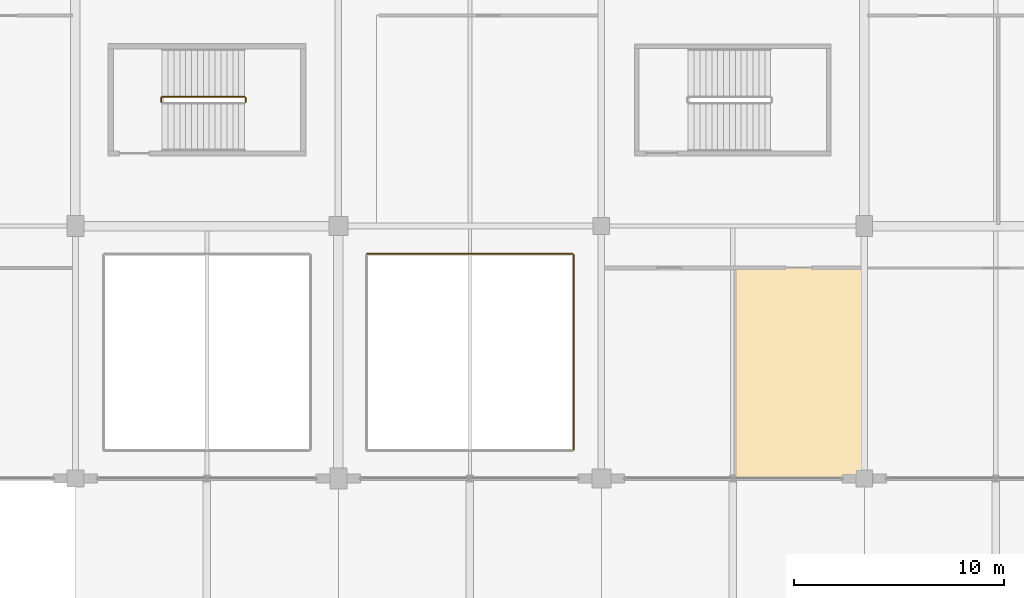
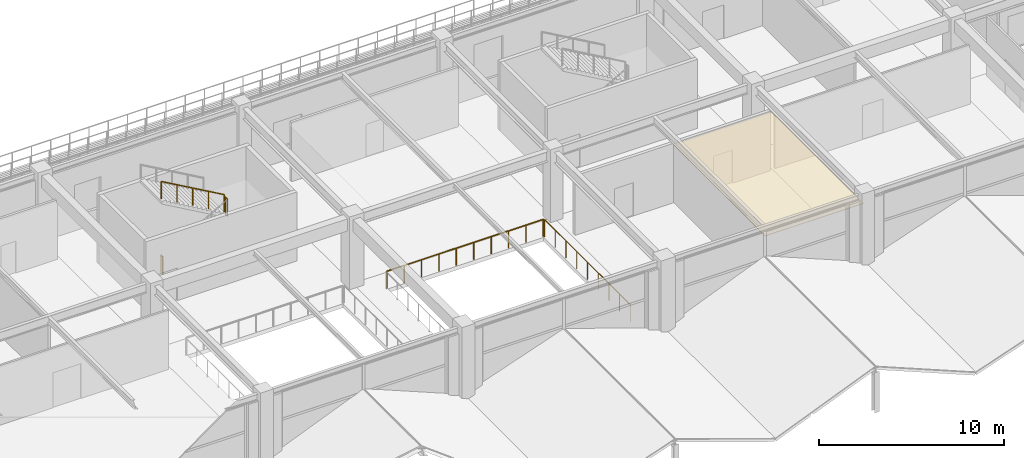
# One storey, part 112 of 134: 5 railings, 1 covering.
"""IFC4 building model written with IfcOpenShell, lengths in metres."""

from ifc_helpers import new_model, si_unit, direction, frame, origin, origin_2d, place, context, subcontext, project, spatial, polyline, circle, outline, extrude, material, layer, layer_set, type_object, element, save


model = new_model("IFC4")

# Units and contexts
model_context = context("Model", 3, precision=1e-05, world=origin(), true_north=direction((0.0, 1.0)))
body_context = subcontext(model_context, "Body", "Model", "MODEL_VIEW")
ifc_project = project(units=[si_unit("LENGTHUNIT", "METRE"), si_unit("AREAUNIT", "SQUARE_METRE"), si_unit("VOLUMEUNIT", "CUBIC_METRE"), si_unit("PLANEANGLEUNIT", "RADIAN"), si_unit("MASSUNIT", "GRAM", prefix="KILO")], contexts=[model_context])

# Site, building, storey
site_placement = place(None, origin())
site = spatial("IfcSite", under=ifc_project, at=site_placement, CompositionType="ELEMENT")
building_placement = place(site_placement, origin())
building = spatial("IfcBuilding", under=site, at=building_placement, Name="Kazenohara Klinker Stadium", CompositionType="ELEMENT")
storey_placement = place(building_placement, frame((0.0, 0.0, 5.39990234375)))
storey = spatial("IfcBuildingStorey", under=building, at=storey_placement, Name="L01", CompositionType="ELEMENT", Elevation=5.39990234375)

# Covering
ifc_material_1 = material(Name="Perforated acoustic mineral-fibre ceiling tile", Category="gypsum")
ifc_layer_1 = layer(ifc_material_1, 0.030029296875)
ifc_layer_set_1 = layer_set([ifc_layer_1], Name="Perforated acoustic mineral-fibre ceiling tile")
covering_type = type_object("IfcCoveringType", Name="COV-CEIL-01", PredefinedType="CEILING", material=ifc_layer_set_1)
covering_placement = place(storey_placement, frame((0.0, 0.0, 3.75)))
element("IfcCovering", 1, at=covering_placement, inside=storey, type_object=covering_type, Name="Suspended acoustic ceiling CL01 Family Sensory Hospitality Lounge L01-1201B", PredefinedType="CEILING", context=body_context, shape_type="SweptSolid", body=[
    extrude(outline(polyline([(156.331787109375, 12.06005859375), (162.4599609375, 12.06005859375), (162.4599609375, 22.0400390625), (156.331787109375, 22.0400390625), (156.331787109375, 12.06005859375)])), origin(), (0.0, 0.0, 1.0), 0.030029296875),
])

# Railings
ifc_material_2 = material(Name="Tempered laminated glass and stainless steel 316 balustrade", Category="steel")
ifc_layer_2 = layer(ifc_material_2, 0.090087890625)
ifc_layer_set_2 = layer_set([ifc_layer_2], Name="Tempered laminated glass and stainless steel 316 balustrade")
railing_type_1 = type_object("IfcRailingType", Name="RL-BAL-1150", PredefinedType="BALUSTRADE", material=ifc_layer_set_2)
railing_1_placement = place(storey_placement, frame((138.8701171875, 22.679931640625, 0.0)))
element("IfcRailing", 2, at=railing_1_placement, inside=storey, type_object=railing_type_1, Name="Double-height atrium gallery balustrade BL01-V04-N", PredefinedType="BALUSTRADE", context=body_context, shape_type="SweptSolid", body=[
    extrude(circle(Radius=0.02392578125, at=origin_2d()), frame((0.0, 0.0, 1.1259765625), z_axis=(1.0, 0.0, 0.0), x_axis=(0.0, 1.0, 0.0)), (0.0, 0.0, 1.0), 9.759765625),
    extrude(circle(Radius=0.02099609375, at=origin_2d()), origin(), (0.0, 0.0, 1.0), 1.101806640625),
    extrude(circle(Radius=0.02099609375, at=origin_2d()), frame((1.08447265625, 0.0, 0.0)), (0.0, 0.0, 1.0), 1.101806640625),
    extrude(circle(Radius=0.02099609375, at=origin_2d()), frame((2.1689453125, 0.0, 0.0)), (0.0, 0.0, 1.0), 1.101806640625),
    extrude(circle(Radius=0.02099609375, at=origin_2d()), frame((3.253173828125, 0.0, 0.0)), (0.0, 0.0, 1.0), 1.101806640625),
    extrude(circle(Radius=0.02099609375, at=origin_2d()), frame((4.337646484375, 0.0, 0.0)), (0.0, 0.0, 1.0), 1.101806640625),
    extrude(circle(Radius=0.02099609375, at=origin_2d()), frame((5.422119140625, 0.0, 0.0)), (0.0, 0.0, 1.0), 1.101806640625),
    extrude(circle(Radius=0.02099609375, at=origin_2d()), frame((6.506591796875, 0.0, 0.0)), (0.0, 0.0, 1.0), 1.101806640625),
    extrude(circle(Radius=0.02099609375, at=origin_2d()), frame((7.5908203125, 0.0, 0.0)), (0.0, 0.0, 1.0), 1.101806640625),
    extrude(circle(Radius=0.02099609375, at=origin_2d()), frame((8.67529296875, 0.0, 0.0)), (0.0, 0.0, 1.0), 1.101806640625),
    extrude(circle(Radius=0.02099609375, at=origin_2d()), frame((9.759765625, 0.0, 0.0)), (0.0, 0.0, 1.0), 1.101806640625),
])
railing_2_placement = place(storey_placement, frame((148.679931640625, 13.3701171875, 0.0)))
element("IfcRailing", 3, at=railing_2_placement, inside=storey, type_object=railing_type_1, Name="Double-height atrium gallery balustrade BL01-V04-E", PredefinedType="BALUSTRADE", context=body_context, shape_type="SweptSolid", body=[
    extrude(circle(Radius=0.02392578125, at=origin_2d()), frame((0.0, 0.0, 1.1259765625), z_axis=(0.0, 1.0, 0.0), x_axis=(-1.0, 0.0, 0.0)), (0.0, 0.0, 1.0), 9.259765625),
    extrude(circle(Radius=0.02099609375, at=origin_2d()), origin(), (0.0, 0.0, 1.0), 1.101806640625),
    extrude(circle(Radius=0.02099609375, at=origin_2d()), frame((0.0, 1.157470703125, 0.0)), (0.0, 0.0, 1.0), 1.101806640625),
    extrude(circle(Radius=0.02099609375, at=origin_2d()), frame((0.0, 2.31494140625, 0.0)), (0.0, 0.0, 1.0), 1.101806640625),
    extrude(circle(Radius=0.02099609375, at=origin_2d()), frame((0.0, 3.472412109375, 0.0)), (0.0, 0.0, 1.0), 1.101806640625),
    extrude(circle(Radius=0.02099609375, at=origin_2d()), frame((0.0, 4.6298828125, 0.0)), (0.0, 0.0, 1.0), 1.101806640625),
    extrude(circle(Radius=0.02099609375, at=origin_2d()), frame((0.0, 5.787353515625, 0.0)), (0.0, 0.0, 1.0), 1.101806640625),
    extrude(circle(Radius=0.02099609375, at=origin_2d()), frame((0.0, 6.94482421875, 0.0)), (0.0, 0.0, 1.0), 1.101806640625),
    extrude(circle(Radius=0.02099609375, at=origin_2d()), frame((0.0, 8.102294921875, 0.0)), (0.0, 0.0, 1.0), 1.101806640625),
    extrude(circle(Radius=0.02099609375, at=origin_2d()), frame((0.0, 9.259765625, 0.0)), (0.0, 0.0, 1.0), 1.101806640625),
])
ifc_material_3 = material(Name="Painted steel stairwell guardrail", Category="steel")
ifc_layer_3 = layer(ifc_material_3, 0.06005859375)
ifc_layer_set_3 = layer_set([ifc_layer_3], Name="Painted steel stairwell guardrail")
railing_type_2 = type_object("IfcRailingType", Name="RL-STG-1120", PredefinedType="GUARDRAIL", material=ifc_layer_set_3)
railing_3_placement = place(storey_placement, frame((133.090087890625, 29.89990234375, 2.400146484375)))
element("IfcRailing", 4, at=railing_3_placement, inside=storey, type_object=railing_type_2, Name="L01 ST27 stair guard 2", PredefinedType="GUARDRAIL", context=body_context, shape_type="SweptSolid", body=[
    extrude(circle(Radius=0.02392578125, at=origin_2d()), frame((0.0, 0.0, 1.1259765625), z_axis=(0.0, 1.0, 0.0), x_axis=(-1.0, 0.0, 0.0)), (0.0, 0.0, 1.0), 0.2001953125),
    extrude(circle(Radius=0.02099609375, at=origin_2d()), origin(), (0.0, 0.0, 1.0), 1.101806640625),
    extrude(circle(Radius=0.02099609375, at=origin_2d()), frame((0.0, 0.2001953125, 0.0)), (0.0, 0.0, 1.0), 1.101806640625),
])
railing_4_placement = place(storey_placement, frame((133.0400390625, 30.14990234375, 2.56005859375)))
element("IfcRailing", 5, at=railing_4_placement, inside=storey, type_object=railing_type_2, Name="L01 ST27 stair guard 3", PredefinedType="GUARDRAIL", context=body_context, shape_type="SweptSolid", body=[
    extrude(circle(Radius=0.02392578125, at=origin_2d()), frame((0.0, 0.0, 1.1259765625), z_axis=(-0.868239814368, 0.0, 0.496144761885), x_axis=(0.0, -1.0, 0.0)), (0.0, 0.0, 1.0), 4.514892578125),
    extrude(circle(Radius=0.02099609375, at=origin_2d()), origin(), (0.0, 0.0, 1.0), 1.101806640625),
    extrude(circle(Radius=0.02099609375, at=origin_2d()), frame((-0.97998046875, 0.0, 0.56005859375)), (0.0, 0.0, 1.0), 1.101806640625),
    extrude(circle(Radius=0.02099609375, at=origin_2d()), frame((-1.9599609375, 0.0, 1.1201171875)), (0.0, 0.0, 1.0), 1.101806640625),
    extrude(circle(Radius=0.02099609375, at=origin_2d()), frame((-2.93994140625, 0.0, 1.679931640625)), (0.0, 0.0, 1.0), 1.101806640625),
    extrude(circle(Radius=0.02099609375, at=origin_2d()), frame((-3.919921875, 0.0, 2.239990234375)), (0.0, 0.0, 1.0), 1.101806640625),
])
railing_5_placement = place(storey_placement, frame((129.070068359375, 29.89990234375, 0.0)))
element("IfcRailing", 6, at=railing_5_placement, inside=storey, type_object=railing_type_2, Name="L01 ST27 stair guard 4", PredefinedType="GUARDRAIL", context=body_context, shape_type="SweptSolid", body=[
    extrude(circle(Radius=0.02392578125, at=origin_2d()), frame((0.0, 0.0, 1.1259765625), z_axis=(0.0, 1.0, 0.0), x_axis=(-1.0, 0.0, 0.0)), (0.0, 0.0, 1.0), 0.2001953125),
    extrude(circle(Radius=0.02099609375, at=origin_2d()), origin(), (0.0, 0.0, 1.0), 1.101806640625),
    extrude(circle(Radius=0.02099609375, at=origin_2d()), frame((0.0, 0.2001953125, 0.0)), (0.0, 0.0, 1.0), 1.101806640625),
])

save(model, "model.ifc")
